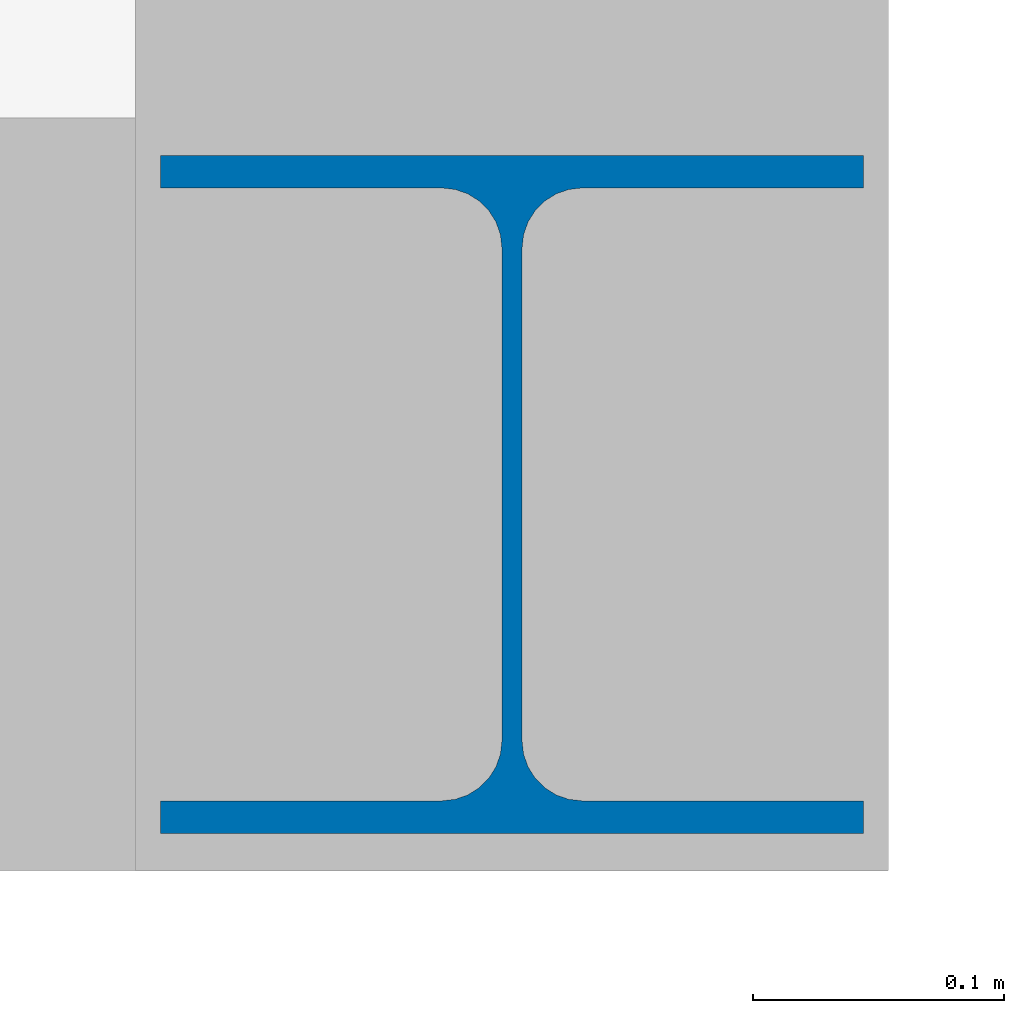
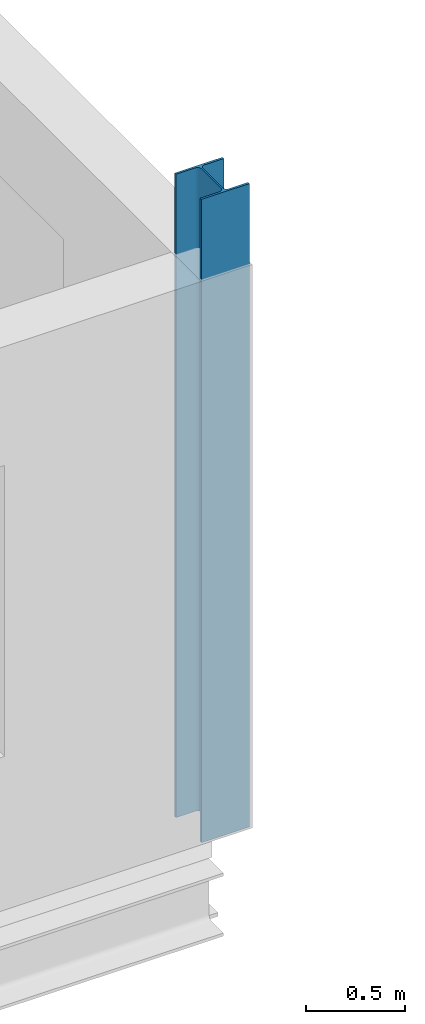
# One storey, part 19 of 138: 1 column.
"""IFC4 building model written with IfcOpenShell, lengths in metres."""

from ifc_helpers import new_model, si_unit, direction, frame, origin, origin_2d, place, context, subcontext, project, spatial, i_section, extrude, material, material_profile, profile_set, type_object, element, save


model = new_model("IFC4")

# Units and contexts
model_context = context("Model", 3, precision=1e-05, world=origin(), true_north=direction((0.0, 1.0)))
body_context = subcontext(model_context, "Body", "Model", "MODEL_VIEW")
ifc_project = project(units=[si_unit("LENGTHUNIT", "METRE"), si_unit("AREAUNIT", "SQUARE_METRE"), si_unit("VOLUMEUNIT", "CUBIC_METRE"), si_unit("PLANEANGLEUNIT", "RADIAN"), si_unit("MASSUNIT", "GRAM", prefix="KILO")], contexts=[model_context])

# Site, building, storey
site_placement = place(None, origin())
site = spatial("IfcSite", under=ifc_project, at=site_placement, CompositionType="ELEMENT")
building_placement = place(site_placement, origin())
building = spatial("IfcBuilding", under=site, at=building_placement, Name="Vinh Khe Railworks Police Headquarters", CompositionType="ELEMENT")
storey_placement = place(building_placement, frame((0.0, 0.0, 9.0)))
storey = spatial("IfcBuildingStorey", under=building, at=storey_placement, Name="L02", CompositionType="ELEMENT", Elevation=9.0)

# Column
ifc_material = material(Name="Steel S355JR", Category="steel")
ifc_material_profile = material_profile(ifc_material, i_section(OverallWidth=0.280029296875, OverallDepth=0.27001953125, WebThickness=0.008056640625, FlangeThickness=0.012939453125, FilletRadius=0.02392578125, at=origin_2d()), Name="HEA 280")
ifc_profile_set = profile_set([ifc_material_profile], Name="Steel S355JR")
column_type = type_object("IfcColumnType", Name="Steel Column HEA 280", PredefinedType="COLUMN", material=ifc_profile_set)
column_placement = place(storey_placement, frame((113.60009765625, 96.0, 0.0), z_axis=(0.0, 0.0, 1.0), x_axis=(1.0, 0.0, 0.0)))
element("IfcColumn", 1, at=column_placement, inside=storey, type_object=column_type, Name="Column COL-L02-SC-19-1398", PredefinedType="COLUMN", context=body_context, shape_type="SweptSolid", body=[
    extrude(i_section(OverallWidth=0.280029296875, OverallDepth=0.27001953125, WebThickness=0.008056640625, FlangeThickness=0.012939453125, FilletRadius=0.02392578125, at=origin_2d()), origin(), (0.0, 0.0, 1.0), 3.97998046875),
])

save(model, "model.ifc")
